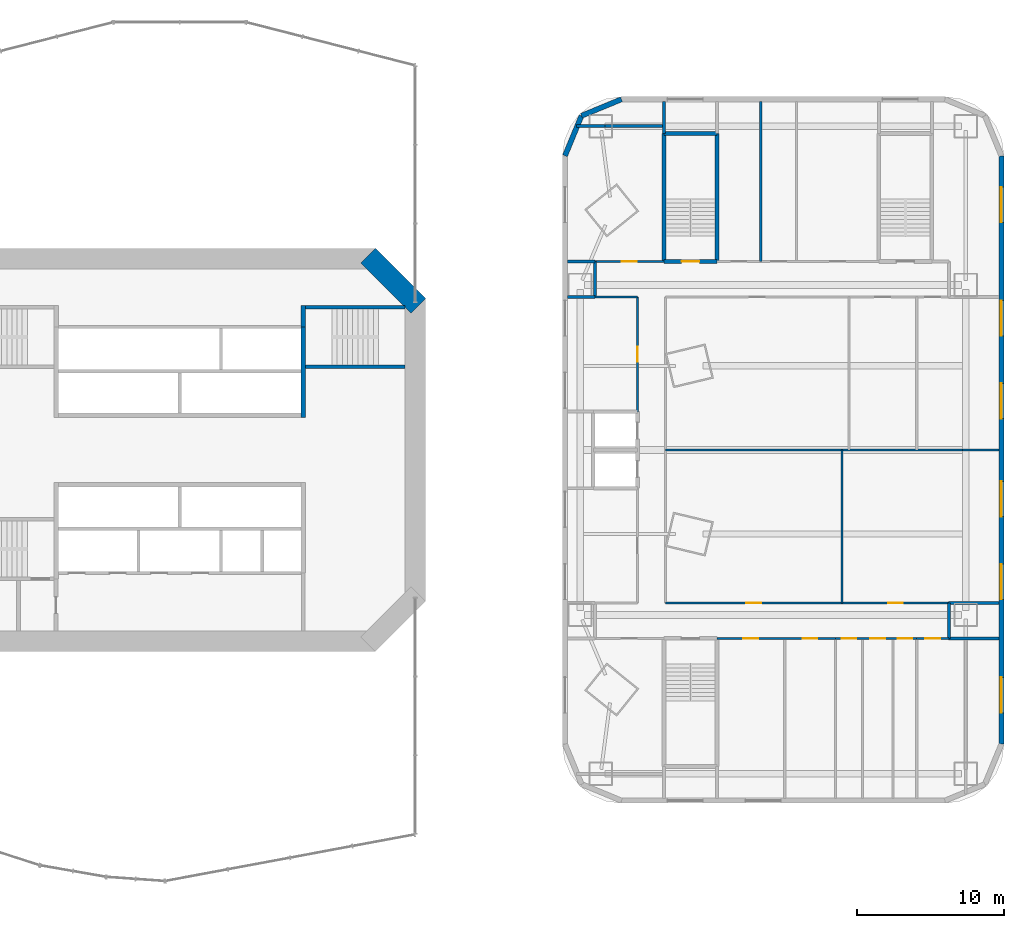
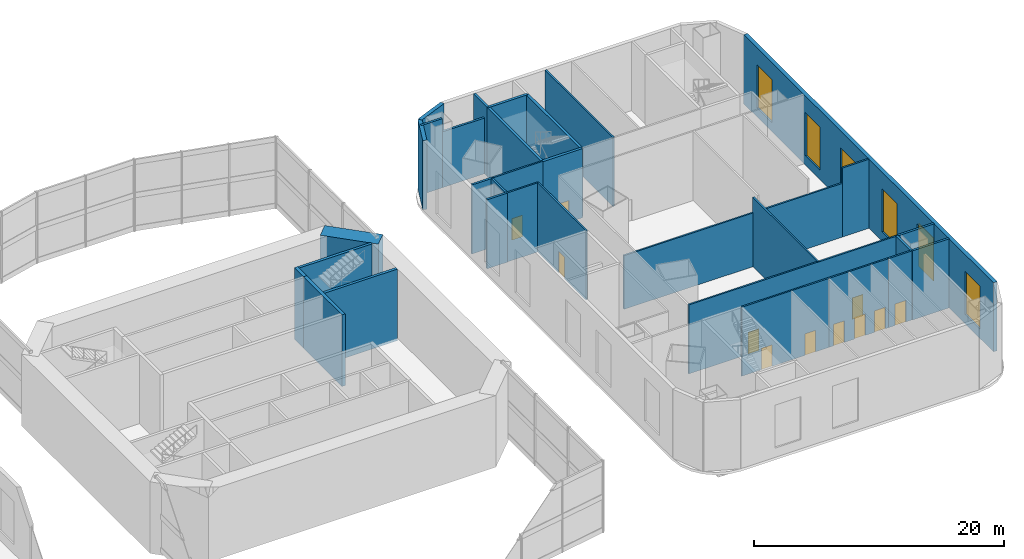
# One storey, part 14 of 19: 32 walls, 11 doors, 6 windows, 17 openings.
"""IFC4 building model written with IfcOpenShell, lengths in metres."""

from ifc_helpers import new_model, si_unit, direction, frame, frame_2d, origin, place, context, subcontext, project, spatial, rectangle, extrude, material, layer, layer_set, type_object, element, fill, save


model = new_model("IFC4")

# Units and contexts
model_context = context("Model", 3, precision=1e-05, world=origin(), true_north=direction((0.0, 1.0)))
body_context = subcontext(model_context, "Body", "Model", "MODEL_VIEW")
ifc_project = project(units=[si_unit("LENGTHUNIT", "METRE"), si_unit("AREAUNIT", "SQUARE_METRE"), si_unit("VOLUMEUNIT", "CUBIC_METRE"), si_unit("PLANEANGLEUNIT", "RADIAN"), si_unit("MASSUNIT", "GRAM", prefix="KILO")], contexts=[model_context])

# Site, building, storey
site_placement = place(None, origin())
site = spatial("IfcSite", under=ifc_project, at=site_placement, CompositionType="ELEMENT")
building_placement = place(site_placement, origin())
building = spatial("IfcBuilding", under=site, at=building_placement, Name="Marenthal Gate Tower", CompositionType="ELEMENT")
storey_placement = place(building_placement, frame((0.0, 0.0, 12.0)))
storey = spatial("IfcBuildingStorey", under=building, at=storey_placement, Name="L01", CompositionType="ELEMENT", Elevation=12.0)

# Walls
ifc_material_1 = material(Name="Concrete 60 MPa", Category="concrete")
ifc_layer_1 = layer(ifc_material_1, 1.39990234375)
ifc_layer_set_1 = layer_set([ifc_layer_1], Name="Core shear wall 1400")
wall_type_1 = type_object("IfcWallType", Name="Core shear wall 1400", PredefinedType="SHEAR", material=ifc_layer_set_1)
wall_1_placement = place(storey_placement, frame((16.205078125, 9.794921875, -0.25), z_axis=(0.0, 0.0, 1.0), x_axis=(-0.707106781187, 0.707106781187, 0.0)))
element("IfcWall", 1, at=wall_1_placement, inside=storey, type_object=wall_type_1, Name="Core wall 03", PredefinedType="SHEAR", context=body_context, shape_type="SweptSolid", body=[
    extrude(rectangle(XDim=4.82275390625, YDim=1.39990234375, at=frame_2d((2.411376953125, 0.0))), origin(), (0.0, 0.0, 1.0), 7.0),
])
ifc_material_2 = material(Name="Concrete 50 MPa", Category="concrete")
ifc_layer_2 = layer(ifc_material_2, 0.300048828125)
ifc_layer_set_2 = layer_set([ifc_layer_2], Name="Hoistway shear wall 300")
wall_type_2 = type_object("IfcWallType", Name="Hoistway shear wall 300", PredefinedType="SHEAR", material=ifc_layer_set_2)
wall_2_placement = place(storey_placement, frame((8.39990234375, 2.199951171875, -0.25), z_axis=(0.0, 0.0, 1.0), x_axis=(0.0, 1.0, 0.0)))
element("IfcWall", 2, at=wall_2_placement, inside=storey, type_object=wall_type_2, Name="Hoistway wall 34", PredefinedType="SHEAR", context=body_context, shape_type="SweptSolid", body=[
    extrude(rectangle(XDim=6.150146484375, YDim=0.300048828125, at=frame_2d((3.0751953125, 0.0))), origin(), (0.0, 0.0, 1.0), 7.0),
])

# Wall, openings, doors
ifc_material_3 = material(Name="Gypsum board on steel studs", Category="steel")
ifc_layer_3 = layer(ifc_material_3, 0.14990234375)
ifc_layer_set_3 = layer_set([ifc_layer_3], Name="Partition 150")
wall_type_3 = type_object("IfcWallType", Name="Partition 150", PredefinedType="PARTITIONING", material=ifc_layer_set_3)
wall_3_placement = place(storey_placement, frame((36.4951171875, -12.800048828125, 0.0), z_axis=(0.0, 0.0, 1.0), x_axis=(1.0, 0.0, 0.0)))
wall_3 = element("IfcWall", 3, at=wall_3_placement, inside=storey, type_object=wall_type_3, Name="Partition wall 50", PredefinedType="PARTITIONING", context=body_context, shape_type="SweptSolid", body=[
    extrude(rectangle(XDim=8.059814453125, YDim=0.14990234375, at=frame_2d((4.02978515625, 0.0))), origin(), (0.0, 0.0, 1.0), 6.75),
])
opening_1_placement = place(wall_3_placement, frame((1.804931640625, 0.0, 0.0)))
opening_1 = element("IfcOpeningElement", 4, at=opening_1_placement, cuts=wall_3, Name="Opening D012.09", PredefinedType="OPENING", context=body_context, shape_type="SweptSolid", body=[
    extrude(rectangle(XDim=1.0, YDim=2.10009765625, at=frame_2d((0.5, 1.050048828125))), frame((0.0, 0.0849609375, 0.0), z_axis=(0.0, -1.0, 0.0), x_axis=(1.0, 0.0, 0.0)), (0.0, 0.0, 1.0), 0.169921875),
])
opening_2_placement = place(wall_3_placement, frame((5.830078125, 0.0, 0.0)))
opening_2 = element("IfcOpeningElement", 5, at=opening_2_placement, cuts=wall_3, Name="Opening D012.10", PredefinedType="OPENING", context=body_context, shape_type="SweptSolid", body=[
    extrude(rectangle(XDim=1.0, YDim=2.10009765625, at=frame_2d((0.5, 1.050048828125))), frame((0.0, 0.0849609375, 0.0), z_axis=(0.0, -1.0, 0.0), x_axis=(1.0, 0.0, 0.0)), (0.0, 0.0, 1.0), 0.169921875),
])
ifc_material_4 = material(Name="Timber door", Category="wood")
door_type_1 = type_object("IfcDoorType", Name="Door 1000 x 2100", OperationType="NOTDEFINED", PredefinedType="DOOR", material=ifc_material_4)
door_1_placement = place(opening_1_placement, frame((1.0, 0.0, 0.0), z_axis=(0.0, 0.0, 1.0), x_axis=(-1.0, 0.0, 0.0)))
door_1 = element("IfcDoor", 6, at=door_1_placement, inside=storey, type_object=door_type_1, Name="Door D012.09", OperationType="SINGLE_SWING_LEFT", OverallHeight=2.10009765625, OverallWidth=1.0, PredefinedType="DOOR", context=body_context, shape_type="SweptSolid", body=[
    extrude(rectangle(XDim=1.0, YDim=2.10009765625, at=frame_2d((0.5, 1.050048828125))), frame((0.0, 0.02490234375, 0.0), z_axis=(0.0, -1.0, 0.0), x_axis=(1.0, 0.0, 0.0)), (0.0, 0.0, 1.0), 0.050048828125),
])
fill(opening_1, door_1)
door_2_placement = place(opening_2_placement, frame((1.0, 0.0, 0.0), z_axis=(0.0, 0.0, 1.0), x_axis=(-1.0, 0.0, 0.0)))
door_2 = element("IfcDoor", 7, at=door_2_placement, inside=storey, type_object=door_type_1, Name="Door D012.10", OperationType="SINGLE_SWING_LEFT", OverallHeight=2.10009765625, OverallWidth=1.0, PredefinedType="DOOR", context=body_context, shape_type="SweptSolid", body=[
    extrude(rectangle(XDim=1.0, YDim=2.10009765625, at=frame_2d((0.5, 1.050048828125))), frame((0.0, 0.02490234375, 0.0), z_axis=(0.0, -1.0, 0.0), x_axis=(1.0, 0.0, 0.0)), (0.0, 0.0, 1.0), 0.050048828125),
])
fill(opening_2, door_2)

# Wall, opening, door
wall_4_placement = place(storey_placement, frame((50.06494140625, -12.800048828125, 0.0), z_axis=(0.0, 0.0, 1.0), x_axis=(1.0, 0.0, 0.0)))
wall_4 = element("IfcWall", 8, at=wall_4_placement, inside=storey, type_object=wall_type_3, Name="Partition wall 51", PredefinedType="PARTITIONING", context=body_context, shape_type="SweptSolid", body=[
    extrude(rectangle(XDim=2.18505859375, YDim=0.14990234375, at=frame_2d((1.092529296875, 0.0))), origin(), (0.0, 0.0, 1.0), 6.75),
])
opening_3_placement = place(wall_4_placement, frame((0.597412109375, 0.0, 0.0)))
opening_3 = element("IfcOpeningElement", 9, at=opening_3_placement, cuts=wall_4, Name="Opening D012.14", PredefinedType="OPENING", context=body_context, shape_type="SweptSolid", body=[
    extrude(rectangle(XDim=1.0, YDim=2.10009765625, at=frame_2d((0.5, 1.050048828125))), frame((0.0, 0.0849609375, 0.0), z_axis=(0.0, -1.0, 0.0), x_axis=(1.0, 0.0, 0.0)), (0.0, 0.0, 1.0), 0.169921875),
])
door_3_placement = place(opening_3_placement, frame((1.0, 0.0, 0.0), z_axis=(0.0, 0.0, 1.0), x_axis=(-1.0, 0.0, 0.0)))
door_3 = element("IfcDoor", 10, at=door_3_placement, inside=storey, type_object=door_type_1, Name="Door D012.14", OperationType="SINGLE_SWING_LEFT", OverallHeight=2.10009765625, OverallWidth=1.0, PredefinedType="DOOR", context=body_context, shape_type="SweptSolid", body=[
    extrude(rectangle(XDim=1.0, YDim=2.10009765625, at=frame_2d((0.5, 1.050048828125))), frame((0.0, 0.02490234375, 0.0), z_axis=(0.0, -1.0, 0.0), x_axis=(1.0, 0.0, 0.0)), (0.0, 0.0, 1.0), 0.050048828125),
])
fill(opening_3, door_3)

# Wall, openings, doors
wall_5_placement = place(storey_placement, frame((32.9951171875, -10.39990234375, 0.0), z_axis=(0.0, 0.0, 1.0), x_axis=(1.0, 0.0, 0.0)))
wall_5 = element("IfcWall", 11, at=wall_5_placement, inside=storey, type_object=wall_type_3, Name="Partition wall 55", PredefinedType="PARTITIONING", context=body_context, shape_type="SweptSolid", body=[
    extrude(rectangle(XDim=19.2548828125, YDim=0.14990234375, at=frame_2d((9.62744140625, 0.0))), origin(), (0.0, 0.0, 1.0), 6.75),
])
opening_4_placement = place(wall_5_placement, frame((5.5048828125, 0.0, 0.0)))
opening_4 = element("IfcOpeningElement", 12, at=opening_4_placement, cuts=wall_5, Name="Opening D012.07", PredefinedType="OPENING", context=body_context, shape_type="SweptSolid", body=[
    extrude(rectangle(XDim=1.0, YDim=2.10009765625, at=frame_2d((0.5, 1.050048828125))), frame((0.0, 0.0849609375, 0.0), z_axis=(0.0, -1.0, 0.0), x_axis=(1.0, 0.0, 0.0)), (0.0, 0.0, 1.0), 0.169921875),
])
opening_5_placement = place(wall_5_placement, frame((15.132568359375, 0.0, 0.0)))
opening_5 = element("IfcOpeningElement", 13, at=opening_5_placement, cuts=wall_5, Name="Opening D012.08", PredefinedType="OPENING", context=body_context, shape_type="SweptSolid", body=[
    extrude(rectangle(XDim=1.0, YDim=2.10009765625, at=frame_2d((0.5, 1.050048828125))), frame((0.0, 0.0849609375, 0.0), z_axis=(0.0, -1.0, 0.0), x_axis=(1.0, 0.0, 0.0)), (0.0, 0.0, 1.0), 0.169921875),
])
door_4_placement = place(opening_4_placement, origin())
door_4 = element("IfcDoor", 14, at=door_4_placement, inside=storey, type_object=door_type_1, Name="Door D012.07", OperationType="SINGLE_SWING_RIGHT", OverallHeight=2.10009765625, OverallWidth=1.0, PredefinedType="DOOR", context=body_context, shape_type="SweptSolid", body=[
    extrude(rectangle(XDim=1.0, YDim=2.10009765625, at=frame_2d((0.5, 1.050048828125))), frame((0.0, 0.02490234375, 0.0), z_axis=(0.0, -1.0, 0.0), x_axis=(1.0, 0.0, 0.0)), (0.0, 0.0, 1.0), 0.050048828125),
])
fill(opening_4, door_4)
door_5_placement = place(opening_5_placement, origin())
door_5 = element("IfcDoor", 15, at=door_5_placement, inside=storey, type_object=door_type_1, Name="Door D012.08", OperationType="SINGLE_SWING_RIGHT", OverallHeight=2.10009765625, OverallWidth=1.0, PredefinedType="DOOR", context=body_context, shape_type="SweptSolid", body=[
    extrude(rectangle(XDim=1.0, YDim=2.10009765625, at=frame_2d((0.5, 1.050048828125))), frame((0.0, 0.02490234375, 0.0), z_axis=(0.0, -1.0, 0.0), x_axis=(1.0, 0.0, 0.0)), (0.0, 0.0, 1.0), 0.050048828125),
])
fill(opening_5, door_5)

# Walls
wall_6_placement = place(storey_placement, frame((33.0, 0.0, 0.0), z_axis=(0.0, 0.0, 1.0), x_axis=(1.0, 0.0, 0.0)))
element("IfcWall", 16, at=wall_6_placement, inside=storey, type_object=wall_type_3, Name="Partition wall 57", PredefinedType="PARTITIONING", context=body_context, shape_type="SweptSolid", body=[
    extrude(rectangle(XDim=20.175048828125, YDim=0.14990234375, at=frame_2d((10.08740234375, 0.0))), origin(), (0.0, 0.0, 1.0), 5.25),
])
wall_7_placement = place(storey_placement, frame((53.175048828125, 0.0, 0.0), z_axis=(0.0, 0.0, 1.0), x_axis=(1.0, 0.0, 0.0)))
element("IfcWall", 17, at=wall_7_placement, inside=storey, type_object=wall_type_3, Name="Partition wall 164", PredefinedType="PARTITIONING", context=body_context, shape_type="SweptSolid", body=[
    extrude(rectangle(XDim=2.494873046875, YDim=0.14990234375, at=frame_2d((1.24755859375, 0.0))), origin(), (0.0, 0.0, 1.0), 6.75),
])
wall_8_placement = place(storey_placement, frame((28.199951171875, 10.39990234375, 0.0), z_axis=(0.0, 0.0, 1.0), x_axis=(1.0, 0.0, 0.0)))
element("IfcWall", 18, at=wall_8_placement, inside=storey, type_object=wall_type_3, Name="Partition wall 60", PredefinedType="PARTITIONING", context=body_context, shape_type="SweptSolid", body=[
    extrude(rectangle(XDim=2.905029296875, YDim=0.14990234375, at=frame_2d((1.45263671875, 0.0))), origin(), (0.0, 0.0, 1.0), 6.75),
])

# Wall, opening, door
wall_9_placement = place(storey_placement, frame((28.199951171875, 12.800048828125, 0.0), z_axis=(0.0, 0.0, 1.0), x_axis=(1.0, 0.0, 0.0)))
wall_9 = element("IfcWall", 19, at=wall_9_placement, inside=storey, type_object=wall_type_3, Name="Partition wall 64", PredefinedType="PARTITIONING", context=body_context, shape_type="SweptSolid", body=[
    extrude(rectangle(XDim=4.705078125, YDim=0.14990234375, at=frame_2d((2.3525390625, 0.0))), origin(), (0.0, 0.0, 1.0), 6.75),
])
opening_6_placement = place(wall_9_placement, frame((1.847412109375, 0.0, 0.0)))
opening_6 = element("IfcOpeningElement", 20, at=opening_6_placement, cuts=wall_9, Name="Opening D012.17", PredefinedType="OPENING", context=body_context, shape_type="SweptSolid", body=[
    extrude(rectangle(XDim=1.0, YDim=2.10009765625, at=frame_2d((0.5, 1.050048828125))), frame((0.0, 0.0849609375, 0.0), z_axis=(0.0, -1.0, 0.0), x_axis=(1.0, 0.0, 0.0)), (0.0, 0.0, 1.0), 0.169921875),
])
door_6_placement = place(opening_6_placement, origin())
door_6 = element("IfcDoor", 21, at=door_6_placement, inside=storey, type_object=door_type_1, Name="Door D012.17", OperationType="SINGLE_SWING_RIGHT", OverallHeight=2.10009765625, OverallWidth=1.0, PredefinedType="DOOR", context=body_context, shape_type="SweptSolid", body=[
    extrude(rectangle(XDim=1.0, YDim=2.10009765625, at=frame_2d((0.5, 1.050048828125))), frame((0.0, 0.02490234375, 0.0), z_axis=(0.0, -1.0, 0.0), x_axis=(1.0, 0.0, 0.0)), (0.0, 0.0, 1.0), 0.050048828125),
])
fill(opening_6, door_6)

# Walls
wall_10_placement = place(storey_placement, frame((45.0, -10.39990234375, 0.0), z_axis=(0.0, 0.0, 1.0), x_axis=(0.0, 1.0, 0.0)))
element("IfcWall", 22, at=wall_10_placement, inside=storey, type_object=wall_type_3, Name="Partition wall 68", PredefinedType="PARTITIONING", context=body_context, shape_type="SweptSolid", body=[
    extrude(rectangle(XDim=10.39990234375, YDim=0.14990234375, at=frame_2d((5.199951171875, 0.0))), origin(), (0.0, 0.0, 1.0), 6.75),
])
wall_11_placement = place(storey_placement, frame((39.47998046875, 12.800048828125, 0.0), z_axis=(0.0, 0.0, 1.0), x_axis=(0.0, 1.0, 0.0)))
element("IfcWall", 23, at=wall_11_placement, inside=storey, type_object=wall_type_3, Name="Partition wall 71", PredefinedType="PARTITIONING", context=body_context, shape_type="SweptSolid", body=[
    extrude(rectangle(XDim=10.869873046875, YDim=0.14990234375, at=frame_2d((5.43505859375, 0.0))), origin(), (0.0, 0.0, 1.0), 6.75),
])

# Wall, opening, door
wall_12_placement = place(storey_placement, frame((31.10009765625, 2.594970703125, 0.0), z_axis=(0.0, 0.0, 1.0), x_axis=(0.0, 1.0, 0.0)))
wall_12 = element("IfcWall", 24, at=wall_12_placement, inside=storey, type_object=wall_type_3, Name="Partition wall 74", PredefinedType="PARTITIONING", context=body_context, shape_type="SweptSolid", body=[
    extrude(rectangle(XDim=7.804931640625, YDim=0.14990234375, at=frame_2d((3.90234375, 0.0))), origin(), (0.0, 0.0, 1.0), 6.75),
])
opening_7_placement = place(wall_12_placement, frame((3.405029296875, 0.0, 0.0)))
opening_7 = element("IfcOpeningElement", 25, at=opening_7_placement, cuts=wall_12, Name="Opening D012.15", PredefinedType="OPENING", context=body_context, shape_type="SweptSolid", body=[
    extrude(rectangle(XDim=1.0, YDim=2.10009765625, at=frame_2d((0.5, 1.050048828125))), frame((0.0, 0.0849609375, 0.0), z_axis=(0.0, -1.0, 0.0), x_axis=(1.0, 0.0, 0.0)), (0.0, 0.0, 1.0), 0.169921875),
])
door_7_placement = place(opening_7_placement, origin())
door_7 = element("IfcDoor", 26, at=door_7_placement, inside=storey, type_object=door_type_1, Name="Door D012.15", OperationType="SINGLE_SWING_RIGHT", OverallHeight=2.10009765625, OverallWidth=1.0, PredefinedType="DOOR", context=body_context, shape_type="SweptSolid", body=[
    extrude(rectangle(XDim=1.0, YDim=2.10009765625, at=frame_2d((0.5, 1.050048828125))), frame((0.0, 0.02490234375, 0.0), z_axis=(0.0, -1.0, 0.0), x_axis=(1.0, 0.0, 0.0)), (0.0, 0.0, 1.0), 0.050048828125),
])
fill(opening_7, door_7)

# Walls
ifc_material_5 = material(Name="Gypsum board on steel studs", Category="steel")
ifc_layer_4 = layer(ifc_material_5, 0.199951171875)
ifc_layer_set_4 = layer_set([ifc_layer_4], Name="Partition 200")
wall_type_4 = type_object("IfcWallType", Name="Partition 200", PredefinedType="PARTITIONING", material=ifc_layer_set_4)
for number, where, z_axis, x_axis, name in (
    (27, (52.2451171875, -12.800048828125, 0.0), (0.0, 0.0, 1.0), (1.0, 0.0, 0.0), "Partition wall 88"),
    (28, (52.2451171875, -10.39990234375, 0.0), (0.0, 0.0, 1.0), (1.0, 0.0, 0.0), "Partition wall 92"),
):
    element("IfcWall", number, at=place(storey_placement, frame(where, z_axis=z_axis, x_axis=x_axis)), inside=storey, type_object=wall_type_4, Name=name, PredefinedType="PARTITIONING", context=body_context, shape_type="SweptSolid", body=[
        extrude(rectangle(XDim=3.4248046875, YDim=0.199951171875, at=frame_2d((1.71240234375, 0.0))), origin(), (0.0, 0.0, 1.0), 6.75),
    ])
for number, where, z_axis, x_axis, name in (
    (29, (26.330078125, 10.39990234375, 0.0), (0.0, 0.0, 1.0), (1.0, 0.0, 0.0), "Partition wall 99"),
    (30, (26.330078125, 12.800048828125, 0.0), (0.0, 0.0, 1.0), (1.0, 0.0, 0.0), "Partition wall 03"),
):
    element("IfcWall", number, at=place(storey_placement, frame(where, z_axis=z_axis, x_axis=x_axis)), inside=storey, type_object=wall_type_4, Name=name, PredefinedType="PARTITIONING", context=body_context, shape_type="SweptSolid", body=[
        extrude(rectangle(XDim=1.873779296875, YDim=0.199951171875, at=frame_2d((0.93701171875, 0.0))), origin(), (0.0, 0.0, 1.0), 6.75),
    ])
wall_13_placement = place(storey_placement, frame((26.951904296875, 22.0, 0.0), z_axis=(0.0, 0.0, 1.0), x_axis=(1.0, 0.0, 0.0)))
element("IfcWall", 31, at=wall_13_placement, inside=storey, type_object=wall_type_4, Name="Partition wall 06", PredefinedType="PARTITIONING", context=body_context, shape_type="SweptSolid", body=[
    extrude(rectangle(XDim=1.947998046875, YDim=0.199951171875, at=frame_2d((0.97412109375, 0.0))), origin(), (0.0, 0.0, 1.0), 6.75),
])
wall_14_placement = place(storey_placement, frame((28.89990234375, 22.0, 0.0), z_axis=(0.0, 0.0, 1.0), x_axis=(1.0, 0.0, 0.0)))
element("IfcWall", 32, at=wall_14_placement, inside=storey, type_object=wall_type_4, Name="Partition wall 168", PredefinedType="PARTITIONING", context=body_context, shape_type="SweptSolid", body=[
    extrude(rectangle(XDim=4.0, YDim=0.199951171875, at=frame_2d((2.0, 0.0))), origin(), (0.0, 0.0, 1.0), 5.449951171875),
])
wall_15_placement = place(storey_placement, frame((52.25, -12.800048828125, 0.0), z_axis=(0.0, 0.0, 1.0), x_axis=(0.0, 1.0, 0.0)))
element("IfcWall", 33, at=wall_15_placement, inside=storey, type_object=wall_type_4, Name="Partition wall 08", PredefinedType="PARTITIONING", context=body_context, shape_type="SweptSolid", body=[
    extrude(rectangle(XDim=2.400146484375, YDim=0.199951171875, at=frame_2d((1.2001953125, 0.0))), origin(), (0.0, 0.0, 1.0), 6.75),
])
wall_16_placement = place(storey_placement, frame((32.89990234375, 21.49609375, 0.0), z_axis=(0.0, 0.0, 1.0), x_axis=(0.0, 1.0, 0.0)))
element("IfcWall", 34, at=wall_16_placement, inside=storey, type_object=wall_type_4, Name="Partition wall 15", PredefinedType="PARTITIONING", context=body_context, shape_type="SweptSolid", body=[
    extrude(rectangle(XDim=2.173828125, YDim=0.199951171875, at=frame_2d((1.0869140625, 0.0))), origin(), (0.0, 0.0, 1.0), 6.75),
])
wall_17_placement = place(storey_placement, frame((28.199951171875, 10.39990234375, 0.0), z_axis=(0.0, 0.0, 1.0), x_axis=(0.0, 1.0, 0.0)))
element("IfcWall", 35, at=wall_17_placement, inside=storey, type_object=wall_type_4, Name="Partition wall 17", PredefinedType="PARTITIONING", context=body_context, shape_type="SweptSolid", body=[
    extrude(rectangle(XDim=2.400146484375, YDim=0.199951171875, at=frame_2d((1.2001953125, 0.0))), origin(), (0.0, 0.0, 1.0), 6.75),
])
ifc_material_6 = material(Name="Concrete 50 MPa", Category="concrete")
ifc_layer_5 = layer(ifc_material_6, 0.25)
ifc_layer_set_5 = layer_set([ifc_layer_5], Name="Stair shear wall 250")
wall_type_5 = type_object("IfcWallType", Name="Stair shear wall 250", PredefinedType="SHEAR", material=ifc_layer_set_5)
for number, where, z_axis, x_axis, name in (
    (36, (8.550048828125, 5.64990234375, -0.25), (0.0, 0.0, 1.0), (1.0, 0.0, 0.0), "Stair wall 17"),
    (37, (8.550048828125, 9.699951171875, -0.25), (0.0, 0.0, 1.0), (1.0, 0.0, 0.0), "Stair wall 20"),
):
    element("IfcWall", number, at=place(storey_placement, frame(where, z_axis=z_axis, x_axis=x_axis)), inside=storey, type_object=wall_type_5, Name=name, PredefinedType="SHEAR", context=body_context, shape_type="SweptSolid", body=[
        extrude(rectangle(XDim=6.75, YDim=0.25, at=frame_2d((3.375, 0.0))), origin(), (0.0, 0.0, 1.0), 7.0),
    ])

# Wall, opening, door
wall_18_placement = place(storey_placement, frame((32.89501953125, 12.800048828125, 0.0), z_axis=(0.0, 0.0, 1.0), x_axis=(1.0, 0.0, 0.0)))
wall_18 = element("IfcWall", 38, at=wall_18_placement, inside=storey, type_object=wall_type_5, Name="Stair wall 35", PredefinedType="SHEAR", context=body_context, shape_type="SweptSolid", body=[
    extrude(rectangle(XDim=3.60986328125, YDim=0.25, at=frame_2d((1.804931640625, 0.0))), origin(), (0.0, 0.0, 1.0), 6.75),
])
opening_8_placement = place(wall_18_placement, frame((1.205078125, 0.0, 0.0)))
opening_8 = element("IfcOpeningElement", 39, at=opening_8_placement, cuts=wall_18, Name="Opening D001.02", PredefinedType="OPENING", context=body_context, shape_type="SweptSolid", body=[
    extrude(rectangle(XDim=1.199951171875, YDim=2.10009765625, at=frame_2d((0.60009765625, 1.050048828125))), frame((0.0, 0.135009765625, 0.0), z_axis=(0.0, -1.0, 0.0), x_axis=(1.0, 0.0, 0.0)), (0.0, 0.0, 1.0), 0.27001953125),
])
ifc_material_7 = material(Name="Steel fire door", Category="steel")
door_type_2 = type_object("IfcDoorType", Name="Fire door FD 90 1200 x 2100", OperationType="NOTDEFINED", PredefinedType="DOOR", material=ifc_material_7)
door_8_placement = place(opening_8_placement, origin())
door_8 = element("IfcDoor", 40, at=door_8_placement, inside=storey, type_object=door_type_2, Name="Door D001.02", OperationType="SINGLE_SWING_RIGHT", OverallHeight=2.10009765625, OverallWidth=1.199951171875, PredefinedType="DOOR", context=body_context, shape_type="SweptSolid", body=[
    extrude(rectangle(XDim=1.199951171875, YDim=2.10009765625, at=frame_2d((0.60009765625, 1.050048828125))), frame((0.0, 0.02490234375, 0.0), z_axis=(0.0, -1.0, 0.0), x_axis=(1.0, 0.0, 0.0)), (0.0, 0.0, 1.0), 0.050048828125),
])
fill(opening_8, door_8)

# Walls
wall_19_placement = place(storey_placement, frame((32.89990234375, 21.5, 0.0), z_axis=(0.0, 0.0, 1.0), x_axis=(1.0, 0.0, 0.0)))
element("IfcWall", 41, at=wall_19_placement, inside=storey, type_object=wall_type_5, Name="Stair wall 39", PredefinedType="SHEAR", context=body_context, shape_type="SweptSolid", body=[
    extrude(rectangle(XDim=3.60009765625, YDim=0.25, at=frame_2d((1.800048828125, 0.0))), origin(), (0.0, 0.0, 1.0), 6.75),
])
for number, where, z_axis, x_axis, name in (
    (42, (36.5, 12.800048828125, 0.0), (0.0, 0.0, 1.0), (0.0, 1.0, 0.0), "Stair wall 44"),
    (43, (32.89990234375, 12.800048828125, 0.0), (0.0, 0.0, 1.0), (0.0, 1.0, 0.0), "Stair wall 46"),
):
    element("IfcWall", number, at=place(storey_placement, frame(where, z_axis=z_axis, x_axis=x_axis)), inside=storey, type_object=wall_type_5, Name=name, PredefinedType="SHEAR", context=body_context, shape_type="SweptSolid", body=[
        extrude(rectangle(XDim=8.699951171875, YDim=0.25, at=frame_2d((4.35009765625, 0.0))), origin(), (0.0, 0.0, 1.0), 6.75),
    ])
ifc_material_8 = material(Name="Concrete 50 MPa", Category="concrete")
ifc_layer_6 = layer(ifc_material_8, 0.300048828125)
ifc_layer_set_6 = layer_set([ifc_layer_6], Name="Stair shear wall 300")
wall_type_6 = type_object("IfcWallType", Name="Stair shear wall 300", PredefinedType="SHEAR", material=ifc_layer_set_6)
wall_20_placement = place(storey_placement, frame((8.39990234375, 8.35009765625, -0.25), z_axis=(0.0, 0.0, 1.0), x_axis=(0.0, 1.0, 0.0)))
element("IfcWall", 44, at=wall_20_placement, inside=storey, type_object=wall_type_6, Name="Stair wall 35", PredefinedType="SHEAR", context=body_context, shape_type="SweptSolid", body=[
    extrude(rectangle(XDim=1.474853515625, YDim=0.300048828125, at=frame_2d((0.7373046875, 0.0))), origin(), (0.0, 0.0, 1.0), 7.0),
])

# Wall, openings, windows
ifc_material_9 = material(Name="Terracotta cladding on insulated concrete-block backing", Category="masonry")
ifc_layer_7 = layer(ifc_material_9, 0.35009765625)
ifc_layer_set_7 = layer_set([ifc_layer_7], Name="Terracotta cladding wall 350")
wall_type_7 = type_object("IfcWallType", Name="Terracotta cladding wall 350", PredefinedType="SOLIDWALL", material=ifc_layer_set_7)
wall_21_placement = place(storey_placement, frame((55.824951171875, -19.988525390625, 0.0), z_axis=(0.0, 0.0, 1.0), x_axis=(0.0, 1.0, 0.0)))
wall_21 = element("IfcWall", 45, at=wall_21_placement, inside=storey, type_object=wall_type_7, Name="Terracotta cladding wall L01 E3", PredefinedType="SOLIDWALL", context=body_context, shape_type="SweptSolid", body=[
    extrude(rectangle(XDim=39.97705078125, YDim=0.35009765625, at=frame_2d((19.988525390625, 0.0))), origin(), (0.0, 0.0, 1.0), 6.75),
])
opening_9_placement = place(wall_21_placement, frame((2.13134765625, 0.0, 0.89990234375)))
opening_9 = element("IfcOpeningElement", 46, at=opening_9_placement, cuts=wall_21, Name="Opening WN4-L01-01", PredefinedType="OPENING", context=body_context, shape_type="SweptSolid", body=[
    extrude(rectangle(XDim=2.39990234375, YDim=4.199951171875, at=frame_2d((1.199951171875, 2.10009765625))), frame((0.0, 0.18505859375, 0.0), z_axis=(0.0, -1.0, 0.0), x_axis=(1.0, 0.0, 0.0)), (0.0, 0.0, 1.0), 0.3701171875),
])
opening_10_placement = place(wall_21_placement, frame((9.83837890625, 0.0, 0.89990234375)))
opening_10 = element("IfcOpeningElement", 47, at=opening_10_placement, cuts=wall_21, Name="Opening WN4-L01-02", PredefinedType="OPENING", context=body_context, shape_type="SweptSolid", body=[
    extrude(rectangle(XDim=2.39990234375, YDim=4.199951171875, at=frame_2d((1.199951171875, 2.10009765625))), frame((0.0, 0.18505859375, 0.0), z_axis=(0.0, -1.0, 0.0), x_axis=(1.0, 0.0, 0.0)), (0.0, 0.0, 1.0), 0.3701171875),
])
opening_11_placement = place(wall_21_placement, frame((15.45703125, 0.0, 0.89990234375)))
opening_11 = element("IfcOpeningElement", 48, at=opening_11_placement, cuts=wall_21, Name="Opening WN4-L01-03", PredefinedType="OPENING", context=body_context, shape_type="SweptSolid", body=[
    extrude(rectangle(XDim=2.39990234375, YDim=4.199951171875, at=frame_2d((1.199951171875, 2.10009765625))), frame((0.0, 0.18505859375, 0.0), z_axis=(0.0, -1.0, 0.0), x_axis=(1.0, 0.0, 0.0)), (0.0, 0.0, 1.0), 0.3701171875),
])
opening_12_placement = place(wall_21_placement, frame((22.119873046875, 0.0, 0.89990234375)))
opening_12 = element("IfcOpeningElement", 49, at=opening_12_placement, cuts=wall_21, Name="Opening WN4-L01-04", PredefinedType="OPENING", context=body_context, shape_type="SweptSolid", body=[
    extrude(rectangle(XDim=2.39990234375, YDim=4.199951171875, at=frame_2d((1.199951171875, 2.10009765625))), frame((0.0, 0.18505859375, 0.0), z_axis=(0.0, -1.0, 0.0), x_axis=(1.0, 0.0, 0.0)), (0.0, 0.0, 1.0), 0.3701171875),
])
opening_13_placement = place(wall_21_placement, frame((27.738525390625, 0.0, 0.89990234375)))
opening_13 = element("IfcOpeningElement", 50, at=opening_13_placement, cuts=wall_21, Name="Opening WN4-L01-05", PredefinedType="OPENING", context=body_context, shape_type="SweptSolid", body=[
    extrude(rectangle(XDim=2.39990234375, YDim=4.199951171875, at=frame_2d((1.199951171875, 2.10009765625))), frame((0.0, 0.18505859375, 0.0), z_axis=(0.0, -1.0, 0.0), x_axis=(1.0, 0.0, 0.0)), (0.0, 0.0, 1.0), 0.3701171875),
])
opening_14_placement = place(wall_21_placement, frame((35.445556640625, 0.0, 0.89990234375)))
opening_14 = element("IfcOpeningElement", 51, at=opening_14_placement, cuts=wall_21, Name="Opening WN4-L01-06", PredefinedType="OPENING", context=body_context, shape_type="SweptSolid", body=[
    extrude(rectangle(XDim=2.39990234375, YDim=4.199951171875, at=frame_2d((1.199951171875, 2.10009765625))), frame((0.0, 0.18505859375, 0.0), z_axis=(0.0, -1.0, 0.0), x_axis=(1.0, 0.0, 0.0)), (0.0, 0.0, 1.0), 0.3701171875),
])
ifc_material_10 = material(Name="Aluminium and laminated impact-rated glass", Category="aluminium")
window_type = type_object("IfcWindowType", Name="Window 2400x4200 impact-rated", PartitioningType="DOUBLE_PANEL_VERTICAL", PredefinedType="WINDOW", material=ifc_material_10)
window_1_placement = place(opening_9_placement, origin())
window_1 = element("IfcWindow", 52, at=window_1_placement, inside=storey, type_object=window_type, Name="Window L01 E3 1", OverallHeight=4.199951171875, OverallWidth=2.39990234375, PartitioningType="SINGLE_PANEL", PredefinedType="WINDOW", context=body_context, shape_type="SweptSolid", body=[
    extrude(rectangle(XDim=2.39990234375, YDim=4.199951171875, at=frame_2d((1.199951171875, 2.10009765625))), frame((0.0, 0.030029296875, 0.0), z_axis=(0.0, -1.0, 0.0), x_axis=(1.0, 0.0, 0.0)), (0.0, 0.0, 1.0), 0.06005859375),
])
fill(opening_9, window_1)
window_2_placement = place(opening_10_placement, origin())
window_2 = element("IfcWindow", 53, at=window_2_placement, inside=storey, type_object=window_type, Name="Window L01 E3 2", OverallHeight=4.199951171875, OverallWidth=2.39990234375, PartitioningType="SINGLE_PANEL", PredefinedType="WINDOW", context=body_context, shape_type="SweptSolid", body=[
    extrude(rectangle(XDim=2.39990234375, YDim=4.199951171875, at=frame_2d((1.199951171875, 2.10009765625))), frame((0.0, 0.030029296875, 0.0), z_axis=(0.0, -1.0, 0.0), x_axis=(1.0, 0.0, 0.0)), (0.0, 0.0, 1.0), 0.06005859375),
])
fill(opening_10, window_2)
window_3_placement = place(opening_11_placement, origin())
window_3 = element("IfcWindow", 54, at=window_3_placement, inside=storey, type_object=window_type, Name="Window L01 E3 3", OverallHeight=4.199951171875, OverallWidth=2.39990234375, PartitioningType="SINGLE_PANEL", PredefinedType="WINDOW", context=body_context, shape_type="SweptSolid", body=[
    extrude(rectangle(XDim=2.39990234375, YDim=4.199951171875, at=frame_2d((1.199951171875, 2.10009765625))), frame((0.0, 0.030029296875, 0.0), z_axis=(0.0, -1.0, 0.0), x_axis=(1.0, 0.0, 0.0)), (0.0, 0.0, 1.0), 0.06005859375),
])
fill(opening_11, window_3)
window_4_placement = place(opening_12_placement, origin())
window_4 = element("IfcWindow", 55, at=window_4_placement, inside=storey, type_object=window_type, Name="Window L01 E3 4", OverallHeight=4.199951171875, OverallWidth=2.39990234375, PartitioningType="SINGLE_PANEL", PredefinedType="WINDOW", context=body_context, shape_type="SweptSolid", body=[
    extrude(rectangle(XDim=2.39990234375, YDim=4.199951171875, at=frame_2d((1.199951171875, 2.10009765625))), frame((0.0, 0.030029296875, 0.0), z_axis=(0.0, -1.0, 0.0), x_axis=(1.0, 0.0, 0.0)), (0.0, 0.0, 1.0), 0.06005859375),
])
fill(opening_12, window_4)
window_5_placement = place(opening_13_placement, origin())
window_5 = element("IfcWindow", 56, at=window_5_placement, inside=storey, type_object=window_type, Name="Window L01 E3 5", OverallHeight=4.199951171875, OverallWidth=2.39990234375, PartitioningType="SINGLE_PANEL", PredefinedType="WINDOW", context=body_context, shape_type="SweptSolid", body=[
    extrude(rectangle(XDim=2.39990234375, YDim=4.199951171875, at=frame_2d((1.199951171875, 2.10009765625))), frame((0.0, 0.030029296875, 0.0), z_axis=(0.0, -1.0, 0.0), x_axis=(1.0, 0.0, 0.0)), (0.0, 0.0, 1.0), 0.06005859375),
])
fill(opening_13, window_5)
window_6_placement = place(opening_14_placement, origin())
window_6 = element("IfcWindow", 57, at=window_6_placement, inside=storey, type_object=window_type, Name="Window L01 E3 6", OverallHeight=4.199951171875, OverallWidth=2.39990234375, PartitioningType="SINGLE_PANEL", PredefinedType="WINDOW", context=body_context, shape_type="SweptSolid", body=[
    extrude(rectangle(XDim=2.39990234375, YDim=4.199951171875, at=frame_2d((1.199951171875, 2.10009765625))), frame((0.0, 0.030029296875, 0.0), z_axis=(0.0, -1.0, 0.0), x_axis=(1.0, 0.0, 0.0)), (0.0, 0.0, 1.0), 0.06005859375),
])
fill(opening_14, window_6)

# Walls
for number, where, z_axis, x_axis, name in (
    (58, (30.011474609375, 23.824951171875, 0.0), (0.0, 0.0, 1.0), (-0.924274813566, -0.381727741993, 0.0), "Terracotta cladding wall L01 E7"),
    (59, (27.29638671875, 22.70361328125, 0.0), (0.0, 0.0, 1.0), (-0.381727741993, -0.924274813566, 0.0), "Terracotta cladding wall L01 E8"),
):
    element("IfcWall", number, at=place(storey_placement, frame(where, z_axis=z_axis, x_axis=x_axis)), inside=storey, type_object=wall_type_7, Name=name, PredefinedType="SOLIDWALL", context=body_context, shape_type="SweptSolid", body=[
        extrude(rectangle(XDim=2.9375, YDim=0.35009765625, at=frame_2d((1.46875, 0.0))), origin(), (0.0, 0.0, 1.0), 6.75),
    ])

# Wall, openings, doors
ifc_material_11 = material(Name="Gypsum board on steel studs", Category="steel")
ifc_layer_8 = layer(ifc_material_11, 0.14990234375)
ifc_layer_set_8 = layer_set([ifc_layer_8], Name="Wet room partition 150")
wall_type_8 = type_object("IfcWallType", Name="Wet room partition 150", PredefinedType="PARTITIONING", material=ifc_layer_set_8)
wall_22_placement = place(storey_placement, frame((44.544921875, -12.800048828125, 0.0), z_axis=(0.0, 0.0, 1.0), x_axis=(1.0, 0.0, 0.0)))
wall_22 = element("IfcWall", 60, at=wall_22_placement, inside=storey, type_object=wall_type_8, Name="Wet wall 54", PredefinedType="PARTITIONING", context=body_context, shape_type="SweptSolid", body=[
    extrude(rectangle(XDim=5.530029296875, YDim=0.14990234375, at=frame_2d((2.76513671875, 0.0))), origin(), (0.0, 0.0, 1.0), 6.75),
])
opening_15_placement = place(wall_22_placement, frame((0.425048828125, 0.0, 0.0)))
opening_15 = element("IfcOpeningElement", 61, at=opening_15_placement, cuts=wall_22, Name="Opening D012.11", PredefinedType="OPENING", context=body_context, shape_type="SweptSolid", body=[
    extrude(rectangle(XDim=1.0, YDim=2.10009765625, at=frame_2d((0.5, 1.050048828125))), frame((0.0, 0.0849609375, 0.0), z_axis=(0.0, -1.0, 0.0), x_axis=(1.0, 0.0, 0.0)), (0.0, 0.0, 1.0), 0.169921875),
])
opening_16_placement = place(wall_22_placement, frame((2.3798828125, 0.0, 0.0)))
opening_16 = element("IfcOpeningElement", 62, at=opening_16_placement, cuts=wall_22, Name="Opening D012.12", PredefinedType="OPENING", context=body_context, shape_type="SweptSolid", body=[
    extrude(rectangle(XDim=1.0, YDim=2.10009765625, at=frame_2d((0.5, 1.050048828125))), frame((0.0, 0.0849609375, 0.0), z_axis=(0.0, -1.0, 0.0), x_axis=(1.0, 0.0, 0.0)), (0.0, 0.0, 1.0), 0.169921875),
])
opening_17_placement = place(wall_22_placement, frame((4.219970703125, 0.0, 0.0)))
opening_17 = element("IfcOpeningElement", 63, at=opening_17_placement, cuts=wall_22, Name="Opening D012.13", PredefinedType="OPENING", context=body_context, shape_type="SweptSolid", body=[
    extrude(rectangle(XDim=1.0, YDim=2.10009765625, at=frame_2d((0.5, 1.050048828125))), frame((0.0, 0.0849609375, 0.0), z_axis=(0.0, -1.0, 0.0), x_axis=(1.0, 0.0, 0.0)), (0.0, 0.0, 1.0), 0.169921875),
])
door_9_placement = place(opening_15_placement, frame((1.0, 0.0, 0.0), z_axis=(0.0, 0.0, 1.0), x_axis=(-1.0, 0.0, 0.0)))
door_9 = element("IfcDoor", 64, at=door_9_placement, inside=storey, type_object=door_type_1, Name="Door D012.11", OperationType="SINGLE_SWING_LEFT", OverallHeight=2.10009765625, OverallWidth=1.0, PredefinedType="DOOR", context=body_context, shape_type="SweptSolid", body=[
    extrude(rectangle(XDim=1.0, YDim=2.10009765625, at=frame_2d((0.5, 1.050048828125))), frame((0.0, 0.02490234375, 0.0), z_axis=(0.0, -1.0, 0.0), x_axis=(1.0, 0.0, 0.0)), (0.0, 0.0, 1.0), 0.050048828125),
])
fill(opening_15, door_9)
door_10_placement = place(opening_16_placement, frame((1.0, 0.0, 0.0), z_axis=(0.0, 0.0, 1.0), x_axis=(-1.0, 0.0, 0.0)))
door_10 = element("IfcDoor", 65, at=door_10_placement, inside=storey, type_object=door_type_1, Name="Door D012.12", OperationType="SINGLE_SWING_LEFT", OverallHeight=2.10009765625, OverallWidth=1.0, PredefinedType="DOOR", context=body_context, shape_type="SweptSolid", body=[
    extrude(rectangle(XDim=1.0, YDim=2.10009765625, at=frame_2d((0.5, 1.050048828125))), frame((0.0, 0.02490234375, 0.0), z_axis=(0.0, -1.0, 0.0), x_axis=(1.0, 0.0, 0.0)), (0.0, 0.0, 1.0), 0.050048828125),
])
fill(opening_16, door_10)
door_11_placement = place(opening_17_placement, frame((1.0, 0.0, 0.0), z_axis=(0.0, 0.0, 1.0), x_axis=(-1.0, 0.0, 0.0)))
door_11 = element("IfcDoor", 66, at=door_11_placement, inside=storey, type_object=door_type_1, Name="Door D012.13", OperationType="SINGLE_SWING_LEFT", OverallHeight=2.10009765625, OverallWidth=1.0, PredefinedType="DOOR", context=body_context, shape_type="SweptSolid", body=[
    extrude(rectangle(XDim=1.0, YDim=2.10009765625, at=frame_2d((0.5, 1.050048828125))), frame((0.0, 0.02490234375, 0.0), z_axis=(0.0, -1.0, 0.0), x_axis=(1.0, 0.0, 0.0)), (0.0, 0.0, 1.0), 0.050048828125),
])
fill(opening_17, door_11)

save(model, "model.ifc")
